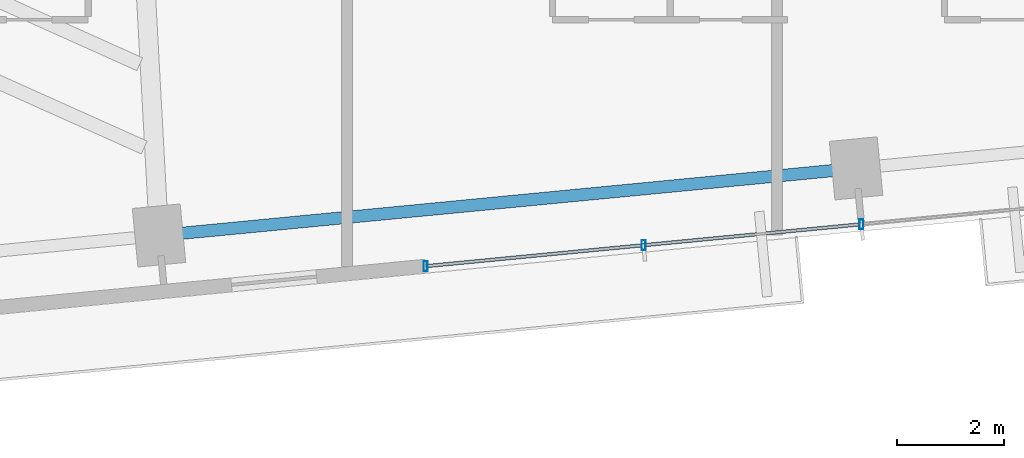
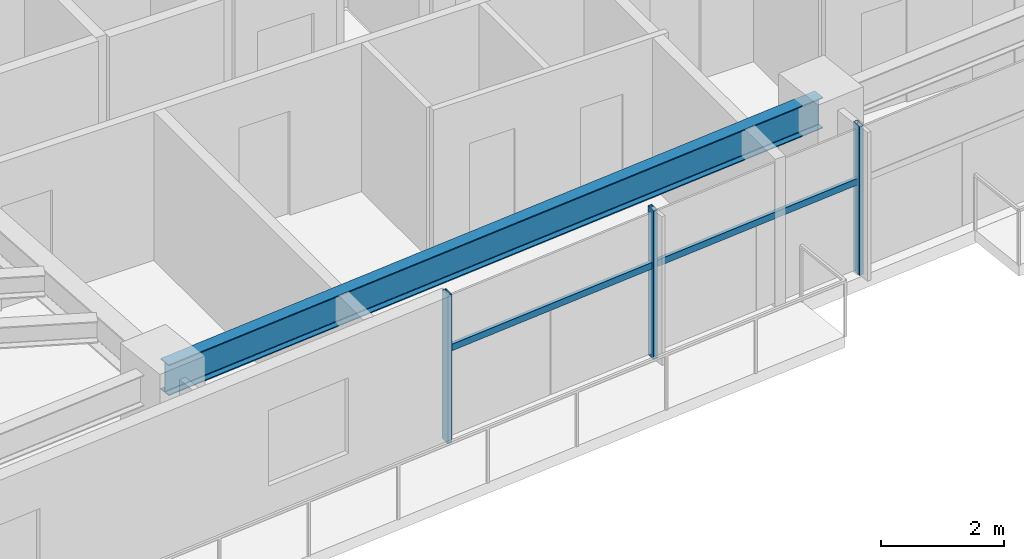
# One storey, part 6 of 25: 5 members, 1 beam, 1 element without a shape of its own.
"""IFC4 building model written with IfcOpenShell, lengths in metres."""

from ifc_helpers import new_model, si_unit, direction, frame, origin, origin_2d, place, context, subcontext, project, spatial, hollow_rectangle, i_section, extrude, source, transform, mapped, material, material_profile, profile_set, type_object, type_shapes, element, aggregate, save


model = new_model("IFC4")

# Units and contexts
model_context = context("Model", 3, precision=1e-05, world=origin(), true_north=direction((0.0, 1.0)))
body_context = subcontext(model_context, "Body", "Model", "MODEL_VIEW")
ifc_project = project(units=[si_unit("LENGTHUNIT", "METRE"), si_unit("AREAUNIT", "SQUARE_METRE"), si_unit("VOLUMEUNIT", "CUBIC_METRE"), si_unit("PLANEANGLEUNIT", "RADIAN"), si_unit("MASSUNIT", "GRAM", prefix="KILO")], contexts=[model_context])

# Site, building, storey
site_placement = place(None, origin())
site = spatial("IfcSite", under=ifc_project, at=site_placement, CompositionType="ELEMENT")
building_placement = place(site_placement, origin())
building = spatial("IfcBuilding", under=site, at=building_placement, Name="Astriad Promenade Condominiums", CompositionType="ELEMENT")
storey_placement = place(building_placement, frame((0.0, 0.0, 100.199951171875)))
storey = spatial("IfcBuildingStorey", under=building, at=storey_placement, Name="L28", CompositionType="ELEMENT", Elevation=100.199951171875)

# Beam
ifc_material_1 = material(Name="Steel ASTM A992 Grade 50", Category="steel")
ifc_material_profile_1 = material_profile(ifc_material_1, i_section(OverallWidth=0.22900390625, OverallDepth=0.612060546875, WebThickness=0.011962890625, FlangeThickness=0.01953125, FilletRadius=0.017822265625, at=origin_2d()), Name="W24X84")
ifc_profile_set_1 = profile_set([ifc_material_profile_1], Name="Steel ASTM A992 Grade 50")
beam_type = type_object("IfcBeamType", Name="STEEL SPANDREL BEAM W24X84", PredefinedType="SPANDREL", material=ifc_profile_set_1)
shared_shape_1 = source(origin(), body_context, "Body", "SweptSolid", [
    extrude(i_section(OverallWidth=0.22900390625, OverallDepth=0.612060546875, WebThickness=0.011962890625, FlangeThickness=0.01953125, FilletRadius=0.017822265625, at=origin_2d()), origin(), (0.0, 0.0, 1.0), 13.020263671875),
])
type_shapes(beam_type, [shared_shape_1])
beam_placement = place(storey_placement, frame((27.04541015625, 6.268798828125, 2.634033203125), z_axis=(0.995395311238, 0.095854965264, 0.0), x_axis=(-0.095854965264, 0.995395311238, 0.0)))
element("IfcBeam", 1, at=beam_placement, inside=storey, type_object=beam_type, Name="Perimeter Spandrel Beam SP-S2-L28", PredefinedType="SPANDREL", context=body_context, shape_type="MappedRepresentation", body=[
    mapped(shared_shape_1, transform((0.0, 0.0, 0.0), scale=1.0)),
])

# Curtain wall, members
ifc_material_2 = material(Name="Anodised aluminium Black Dark Glass Unitised", Category="aluminium")
curtain_wall_type = type_object("IfcCurtainWallType", Name="CW-B2-DARK", PredefinedType="USERDEFINED", material=ifc_material_2)
curtain_wall_placement = place(storey_placement, origin())
curtain_wall = element("IfcCurtainWall", 2, at=curtain_wall_placement, inside=storey, type_object=curtain_wall_type, Name="CW-L28-S", ObjectType="UNITISED_CURTAIN_WALL", PredefinedType="USERDEFINED")
ifc_material_3 = material(Name="Anodised aluminium 6063-T6 Black", Category="aluminium")
ifc_material_profile_2 = material_profile(ifc_material_3, hollow_rectangle(XDim=0.074951171875, YDim=0.18505859375, WallThickness=0.00439453125, at=origin_2d()), Name="ALU-MUL-75X185")
ifc_profile_set_2 = profile_set([ifc_material_profile_2], Name="Anodised aluminium 6063-T6 Black")
member_type_1 = type_object("IfcMemberType", Name="MUL-ALU-MUL-75X185", PredefinedType="MULLION", material=ifc_profile_set_2)
shared_shape_2 = source(origin(), body_context, "Body", "SweptSolid", [
    extrude(hollow_rectangle(XDim=0.074951171875, YDim=0.18505859375, WallThickness=0.00439453125, at=origin_2d()), origin(), (0.0, 0.0, 1.0), 2.93994140625),
])
type_shapes(member_type_1, [shared_shape_2])
member_1_placement = place(storey_placement, frame((40.14599609375, 6.475341796875, 0.0), z_axis=(0.0, 0.0, 1.0), x_axis=(1.0, 0.0, 0.0)))
member_1 = element("IfcMember", 3, at=member_1_placement, type_object=member_type_1, Name="CW-L28-S-MUL-02", PredefinedType="MULLION", context=body_context, shape_type="MappedRepresentation", body=[
    mapped(shared_shape_2, transform((0.0, 0.0, 0.0), scale=1.0)),
])
member_2_placement = place(storey_placement, frame((36.06982421875, 6.0830078125, 0.0), z_axis=(0.0, 0.0, 1.0), x_axis=(1.0, 0.0, 0.0)))
member_2 = element("IfcMember", 4, at=member_2_placement, type_object=member_type_1, Name="CW-L28-S-MUL-03", PredefinedType="MULLION", context=body_context, shape_type="MappedRepresentation", body=[
    mapped(shared_shape_2, transform((0.0, 0.0, 0.0), scale=1.0)),
])
member_3_placement = place(storey_placement, frame((31.99365234375, 5.6904296875, 0.0), z_axis=(0.0, 0.0, 1.0), x_axis=(1.0, 0.0, 0.0)))
member_3 = element("IfcMember", 5, at=member_3_placement, type_object=member_type_1, Name="CW-L28-S-MUL-04", PredefinedType="MULLION", context=body_context, shape_type="MappedRepresentation", body=[
    mapped(shared_shape_2, transform((0.0, 0.0, 0.0), scale=1.0)),
])
ifc_material_profile_3 = material_profile(ifc_material_3, hollow_rectangle(XDim=0.06494140625, YDim=0.1298828125, WallThickness=0.00390625, at=origin_2d()), Name="ALU-TRN-65X130")
ifc_profile_set_3 = profile_set([ifc_material_profile_3], Name="Anodised aluminium 6063-T6 Black")
member_type_2 = type_object("IfcMemberType", Name="TRN-ALU-TRN-65X130", PredefinedType="USERDEFINED", material=ifc_profile_set_3)
shared_shape_3 = source(origin(), body_context, "Body", "SweptSolid", [
    extrude(hollow_rectangle(XDim=0.06494140625, YDim=0.1298828125, WallThickness=0.00390625, at=origin_2d()), origin(), (0.0, 0.0, 1.0), 4.094970703125),
])
type_shapes(member_type_2, [shared_shape_3])
member_4_placement = place(storey_placement, frame((40.14599609375, 6.475341796875, 1.82275390625), z_axis=(-0.995399849002, -0.095807831657, 0.0), x_axis=(0.095807831657, -0.995399849002, 0.0)))
member_4 = element("IfcMember", 6, at=member_4_placement, type_object=member_type_2, Name="CW-L28-S-TRN-02-0", ObjectType="TRANSOM", PredefinedType="USERDEFINED", context=body_context, shape_type="MappedRepresentation", body=[
    mapped(shared_shape_3, transform((0.0, 0.0, 0.0), scale=1.0)),
])
member_5_placement = place(storey_placement, frame((36.06982421875, 6.0830078125, 1.82275390625), z_axis=(-0.995394161585, -0.09586690296, 0.0), x_axis=(0.09586690296, -0.995394161585, 0.0)))
member_5 = element("IfcMember", 7, at=member_5_placement, type_object=member_type_2, Name="CW-L28-S-TRN-03-0", ObjectType="TRANSOM", PredefinedType="USERDEFINED", context=body_context, shape_type="MappedRepresentation", body=[
    mapped(shared_shape_3, transform((0.0, 0.0, 0.0), scale=1.0)),
])
aggregate(curtain_wall, [member_1, member_2, member_3, member_4, member_5])

save(model, "model.ifc")
